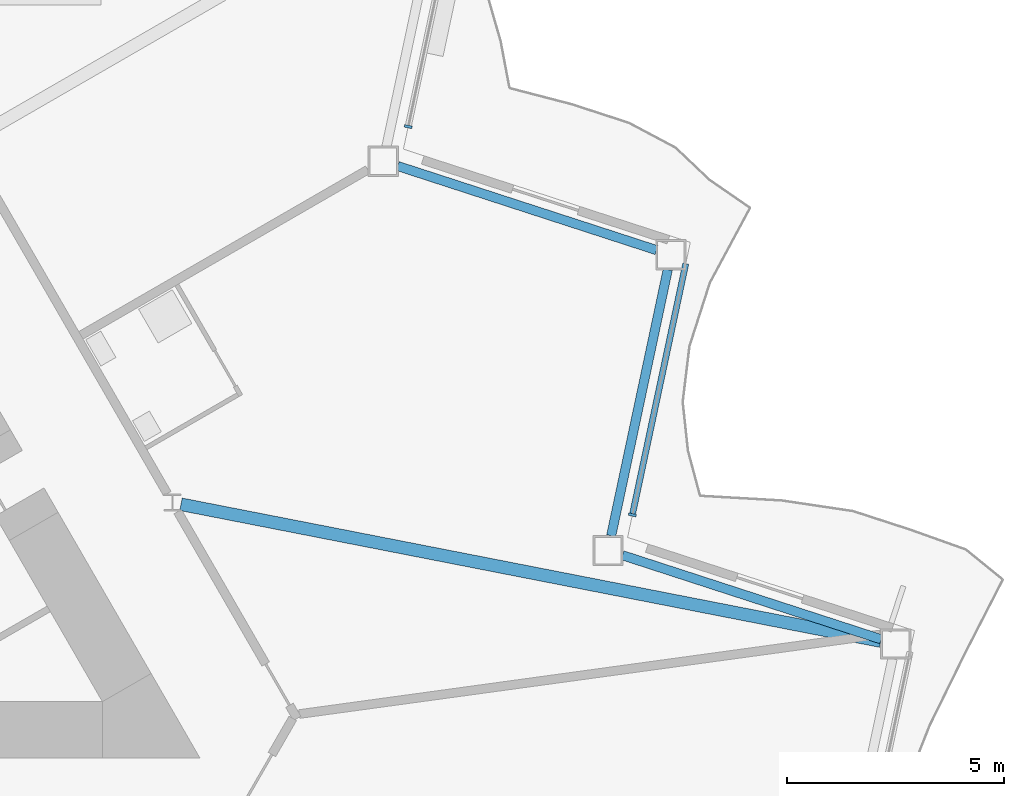
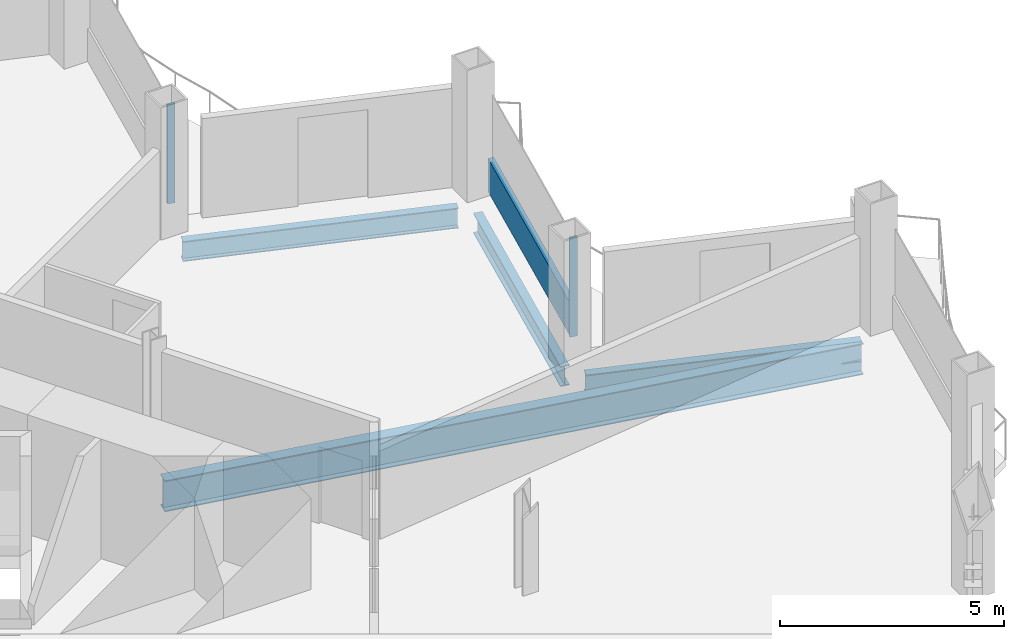
# One storey, part 7 of 23: 4 beams, 3 members, 2 elements without a shape of their own.
"""IFC4 building model written with IfcOpenShell, lengths in metres."""

from ifc_helpers import new_model, si_unit, direction, frame, origin, origin_2d, place, context, subcontext, project, spatial, rectangle, i_section, extrude, material, layer, layer_set, material_profile, profile_set, type_object, element, aggregate, save


model = new_model("IFC4")

# Units and contexts
model_context = context("Model", 3, precision=1e-05, world=origin(), true_north=direction((0.0, 1.0)))
body_context = subcontext(model_context, "Body", "Model", "MODEL_VIEW")
ifc_project = project(units=[si_unit("LENGTHUNIT", "METRE"), si_unit("AREAUNIT", "SQUARE_METRE"), si_unit("VOLUMEUNIT", "CUBIC_METRE"), si_unit("PLANEANGLEUNIT", "RADIAN"), si_unit("MASSUNIT", "GRAM", prefix="KILO")], contexts=[model_context])

# Site, building, storey
site_placement = place(None, origin())
site = spatial("IfcSite", under=ifc_project, at=site_placement, CompositionType="ELEMENT")
building_placement = place(site_placement, origin())
building = spatial("IfcBuilding", under=site, at=building_placement, Name="Cormorant Prow Tower", CompositionType="ELEMENT")
storey_placement = place(building_placement, frame((0.0, 0.0, 249.0)))
storey = spatial("IfcBuildingStorey", under=building, at=storey_placement, Name="L55", CompositionType="ELEMENT", Elevation=249.0)

# Curtain wall, member
ifc_material_1 = material(Name="Aluminium 6063-T6", Category="aluminium")
ifc_layer = layer(ifc_material_1, 0.179931640625)
ifc_layer_set = layer_set([ifc_layer], Name="Aluminium 6063-T6")
curtain_wall_type = type_object("IfcCurtainWallType", Name="Hotel unitised curtain wall 180", PredefinedType="NOTDEFINED", material=ifc_layer_set)
curtain_wall_1_placement = place(storey_placement, origin())
curtain_wall_1 = element("IfcCurtainWall", 1, at=curtain_wall_1_placement, inside=storey, type_object=curtain_wall_type, Name="Hotel curtain wall ENE02", PredefinedType="NOTDEFINED")
ifc_material_2 = material(Name="Aluminium 6063-T6", Category="aluminium")
ifc_material_profile_1 = material_profile(ifc_material_2, rectangle(XDim=0.179931640625, YDim=0.06005859375, at=origin_2d()), Name="Hotel mullion 60x180")
ifc_profile_set_1 = profile_set([ifc_material_profile_1], Name="Aluminium 6063-T6")
member_type_1 = type_object("IfcMemberType", Name="Hotel mullion 60x180", PredefinedType="MULLION", material=ifc_profile_set_1)
member_1_placement = place(storey_placement, frame((24.985107421875, -3.04833984375, 0.0), z_axis=(0.0, 0.0, 1.0), x_axis=(-0.978147605727, 0.207911667327, 0.0)))
member_1 = element("IfcMember", 2, at=member_1_placement, type_object=member_type_1, Name="Hotel mullion ENE02", PredefinedType="MULLION", context=body_context, shape_type="SweptSolid", body=[
    extrude(rectangle(XDim=0.179931640625, YDim=0.06005859375, at=origin_2d()), origin(), (0.0, 0.0, 1.0), 2.700927734375),
])

curtain_wall_2_placement = place(storey_placement, origin())
curtain_wall_2 = element("IfcCurtainWall", 3, at=curtain_wall_2_placement, inside=storey, type_object=curtain_wall_type, Name="Hotel curtain wall ENE04", PredefinedType="NOTDEFINED")
member_2_placement = place(storey_placement, frame((19.809326171875, 5.916259765625, 0.0), z_axis=(0.0, 0.0, 1.0), x_axis=(-0.978147605727, 0.207911667327, 0.0)))
member_2 = element("IfcMember", 4, at=member_2_placement, type_object=member_type_1, Name="Hotel mullion ENE04", PredefinedType="MULLION", context=body_context, shape_type="SweptSolid", body=[
    extrude(rectangle(XDim=0.179931640625, YDim=0.06005859375, at=origin_2d()), origin(), (0.0, 0.0, 1.0), 2.700927734375),
])
aggregate(curtain_wall_2, [member_2])

# Member
ifc_material_3 = material(Name="Terracotta", Category="masonry")
ifc_material_profile_2 = material_profile(ifc_material_3, rectangle(XDim=0.139892578125, YDim=0.89990234375, at=origin_2d()), Name="Hotel terracotta spandrel rail 140x900")
ifc_profile_set_2 = profile_set([ifc_material_profile_2], Name="Terracotta")
member_type_2 = type_object("IfcMemberType", Name="Hotel terracotta spandrel rail 140x900", PredefinedType="USERDEFINED", material=ifc_profile_set_2)
member_3_placement = place(storey_placement, frame((24.9912109375, -3.01904296875, 0.449951171875), z_axis=(0.207921579045, 0.978145498874, 0.0), x_axis=(-0.978145498874, 0.207921579045, 0.0)))
member_3 = element("IfcMember", 5, at=member_3_placement, type_object=member_type_2, Name="Hotel spandrel rail ENE02", ObjectType="TRANSOM", PredefinedType="USERDEFINED", context=body_context, shape_type="SweptSolid", body=[
    extrude(rectangle(XDim=0.139892578125, YDim=0.89990234375, at=origin_2d()), origin(), (0.0, 0.0, 1.0), 5.902587890625),
])

aggregate(curtain_wall_1, [member_1, member_3])

# Beams
ifc_material_4 = material(Name="Structural steel ASTM A992 Gr 50", Category="steel")
ifc_material_profile_3 = material_profile(ifc_material_4, i_section(OverallWidth=0.29296875, OverallDepth=0.845703125, WebThickness=0.015380859375, FlangeThickness=0.0244140625, at=origin_2d()), Name="W33x141")
ifc_profile_set_3 = profile_set([ifc_material_profile_3], Name="Structural steel ASTM A992 Gr 50")
beam_type_1 = type_object("IfcBeamType", Name="Radial floor beam W33x141", PredefinedType="BEAM", material=ifc_profile_set_3)
beam_placement = place(storey_placement, frame((14.5634765625, -2.80322265625, -0.77294921875), z_axis=(0.981419133752, -0.191876220269, 0.0), x_axis=(0.191876220269, 0.981419133752, 0.0)))
element("IfcBeam", 6, at=beam_placement, inside=storey, type_object=beam_type_1, Name="Radial floor beam FB2 10 L55", PredefinedType="BEAM", context=body_context, shape_type="SweptSolid", body=[
    extrude(i_section(OverallWidth=0.29296875, OverallDepth=0.845703125, WebThickness=0.015380859375, FlangeThickness=0.0244140625, at=origin_2d()), origin(), (0.0, 0.0, 1.0), 16.462158203125),
])
ifc_material_5 = material(Name="Structural steel ASTM A992 Gr 50", Category="steel")
ifc_material_profile_4 = material_profile(ifc_material_5, i_section(OverallWidth=0.2138671875, OverallDepth=0.549072265625, WebThickness=0.0146484375, FlangeThickness=0.023681640625, at=origin_2d()), Name="W21x93")
ifc_profile_set_4 = profile_set([ifc_material_profile_4], Name="Structural steel ASTM A992 Gr 50")
beam_type_2 = type_object("IfcBeamType", Name="Spandrel beam W21x93", PredefinedType="SPANDREL", material=ifc_profile_set_4)
for number, where, z_axis, x_axis, name in (
    (7, (30.730224609375, -5.9208984375, -0.62451171875), (-0.951061771288, 0.309000820701, 0.0), (-0.309000820701, -0.951061771288, 0.0), "Spandrel beam SB2 ENE01-ENE02 L55"),
    (8, (24.49609375, -3.529296875, -0.62451171875), (0.207941499013, 0.978141264331, 0.0), (-0.978141264331, 0.207941499013, 0.0), "Spandrel beam SB2 ENE02-ENE03 L55"),
    (9, (25.5419921875, 3.0654296875, -0.62451171875), (-0.951061771288, 0.309000820701, 0.0), (-0.309000820701, -0.951061771288, 0.0), "Spandrel beam SB2 ENE03-ENE04 L55"),
):
    element("IfcBeam", number, at=place(storey_placement, frame(where, z_axis=z_axis, x_axis=x_axis)), inside=storey, type_object=beam_type_2, Name=name, PredefinedType="SPANDREL", context=body_context, shape_type="SweptSolid", body=[
        extrude(i_section(OverallWidth=0.2138671875, OverallDepth=0.549072265625, WebThickness=0.0146484375, FlangeThickness=0.023681640625, at=origin_2d()), origin(), (0.0, 0.0, 1.0), 6.28125),
    ])

save(model, "model.ifc")
